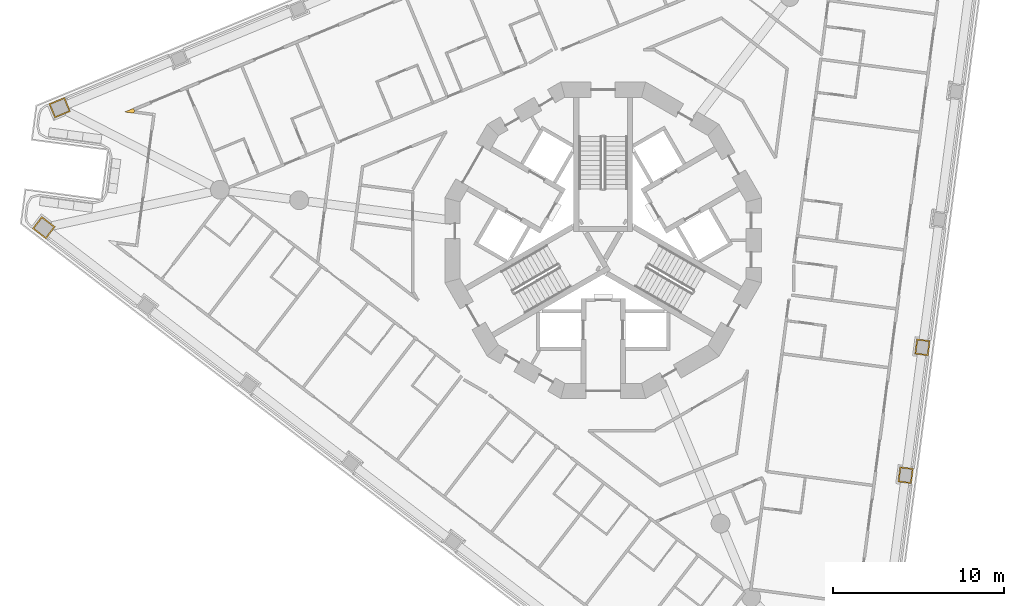
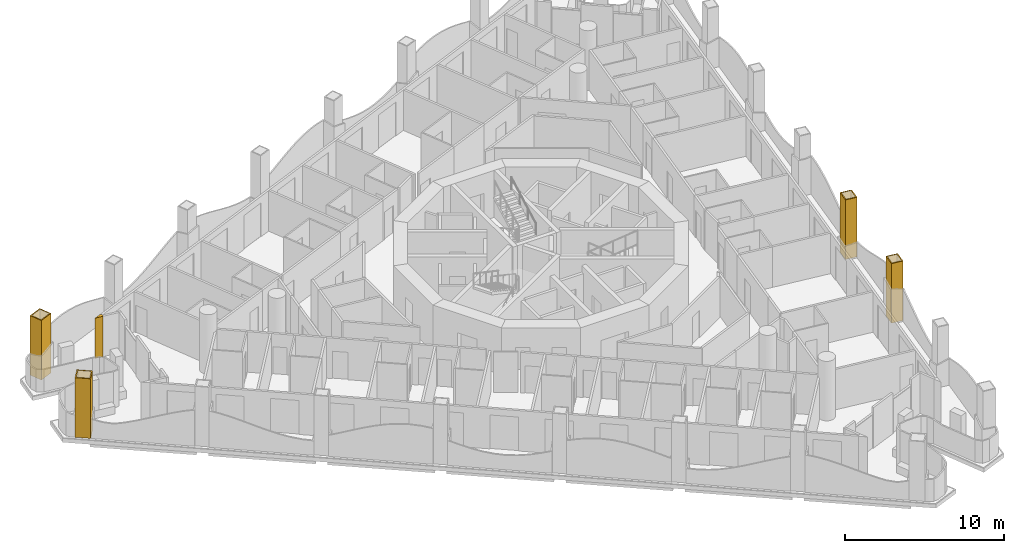
# One storey, part 14 of 17: 5 coverings.
"""IFC4 building model written with IfcOpenShell, lengths in metres."""

from ifc_helpers import new_model, si_unit, direction, frame, origin, place, context, subcontext, project, spatial, polyline, outline, extrude, material, layer, layer_set, type_object, element, save


model = new_model("IFC4")

# Units and contexts
model_context = context("Model", 3, precision=1e-05, world=origin(), true_north=direction((0.0, 1.0)))
body_context = subcontext(model_context, "Body", "Model", "MODEL_VIEW")
ifc_project = project(units=[si_unit("LENGTHUNIT", "METRE"), si_unit("AREAUNIT", "SQUARE_METRE"), si_unit("VOLUMEUNIT", "CUBIC_METRE"), si_unit("PLANEANGLEUNIT", "RADIAN"), si_unit("MASSUNIT", "GRAM", prefix="KILO")], contexts=[model_context])

# Site, building, storey
site_placement = place(None, origin())
site = spatial("IfcSite", under=ifc_project, at=site_placement, CompositionType="ELEMENT")
building_placement = place(site_placement, origin())
building = spatial("IfcBuilding", under=site, at=building_placement, Name="Trine Commons Tower", CompositionType="ELEMENT")
storey_placement = place(building_placement, frame((0.0, 0.0, 153.0)))
storey = spatial("IfcBuildingStorey", under=building, at=storey_placement, Name="L39", CompositionType="ELEMENT", Elevation=153.0)

# Coverings
ifc_material_1 = material(Name="Aluminium-framed insulated wall panel", Category="aluminium")
ifc_layer_1 = layer(ifc_material_1, 0.14990234375)
ifc_layer_set_1 = layer_set([ifc_layer_1], Name="Aluminium-framed insulated wall panel")
covering_type_1 = type_object("IfcCoveringType", Name="Glazing corner post, aluminium", PredefinedType="CLADDING", material=ifc_layer_set_1)
covering_1_placement = place(storey_placement, origin())
element("IfcCovering", 1, at=covering_1_placement, inside=storey, type_object=covering_type_1, Name="Glazing corner post 4-04", PredefinedType="CLADDING", context=body_context, shape_type="SweptSolid", body=[
    extrude(outline(polyline([(52.53369140625, 69.938720703125), (52.553466796875, 70.08740234375), (52.49609375, 70.22607421875), (51.978759765625, 70.01171875), (52.53369140625, 69.938720703125)])), origin(), (0.0, 0.0, 1.0), 3.10009765625),
])
ifc_material_2 = material(Name="Limestone, honed", Category="masonry")
ifc_layer_2 = layer(ifc_material_2, 0.074951171875)
ifc_layer_set_2 = layer_set([ifc_layer_2], Name="Limestone, honed")
covering_type_2 = type_object("IfcCoveringType", Name="Limestone column cladding 75", PredefinedType="CLADDING", material=ifc_layer_set_2)
covering_2_placement = place(storey_placement, origin())
element("IfcCovering", 2, at=covering_2_placement, inside=storey, type_object=covering_type_2, Name="Limestone pier cladding 4-08", PredefinedType="CLADDING", context=body_context, shape_type="SweptSolid", body=[
    extrude(outline(polyline([(47.1259765625, 63.898193359375), (46.578125, 63.18408203125), (47.371337890625, 62.5751953125), (47.919189453125, 63.289306640625), (47.1259765625, 63.898193359375)]), holes=[polyline([(47.139892578125, 63.79296875), (46.68310546875, 63.197998046875), (47.357666015625, 62.680419921875), (47.814208984375, 63.275390625), (47.139892578125, 63.79296875)])]), origin(), (0.0, 0.0, 1.0), 4.565185546875),
])
covering_3_placement = place(storey_placement, origin())
element("IfcCovering", 3, at=covering_3_placement, inside=storey, type_object=covering_type_2, Name="Limestone pier cladding 4-09", PredefinedType="CLADDING", context=body_context, shape_type="SweptSolid", body=[
    extrude(outline(polyline([(48.80810546875, 70.04052734375), (48.463623046875, 70.8720703125), (47.539794921875, 70.489501953125), (47.88427734375, 69.657958984375), (48.80810546875, 70.04052734375)]), holes=[polyline([(48.710205078125, 70.081298828125), (48.423095703125, 70.774169921875), (47.6376953125, 70.44873046875), (47.9248046875, 69.755859375), (48.710205078125, 70.081298828125)])]), origin(), (0.0, 0.0, 1.0), 4.565185546875),
])
covering_4_placement = place(storey_placement, origin())
element("IfcCovering", 4, at=covering_4_placement, inside=storey, type_object=covering_type_2, Name="Limestone pier cladding 4-21", PredefinedType="CLADDING", context=body_context, shape_type="SweptSolid", body=[
    extrude(outline(polyline([(99.150146484375, 56.6240234375), (98.35693359375, 56.728515625), (98.239501953125, 55.836181640625), (99.03271484375, 55.731689453125), (99.150146484375, 56.6240234375)]), holes=[polyline([(99.06591796875, 56.5595703125), (98.42138671875, 56.644287109375), (98.323486328125, 55.90087890625), (98.968017578125, 55.81591796875), (99.06591796875, 56.5595703125)])]), origin(), (0.0, 0.0, 1.0), 4.565185546875),
])
covering_5_placement = place(storey_placement, origin())
element("IfcCovering", 5, at=covering_5_placement, inside=storey, type_object=covering_type_2, Name="Limestone pier cladding 4-22", PredefinedType="CLADDING", context=body_context, shape_type="SweptSolid", body=[
    extrude(outline(polyline([(98.164306640625, 49.13671875), (97.371337890625, 49.2412109375), (97.25390625, 48.34912109375), (98.046875, 48.244384765625), (98.164306640625, 49.13671875)]), holes=[polyline([(98.080322265625, 49.072265625), (97.435791015625, 49.156982421875), (97.337890625, 48.41357421875), (97.982421875, 48.32861328125), (98.080322265625, 49.072265625)])]), origin(), (0.0, 0.0, 1.0), 4.565185546875),
])

save(model, "model.ifc")
